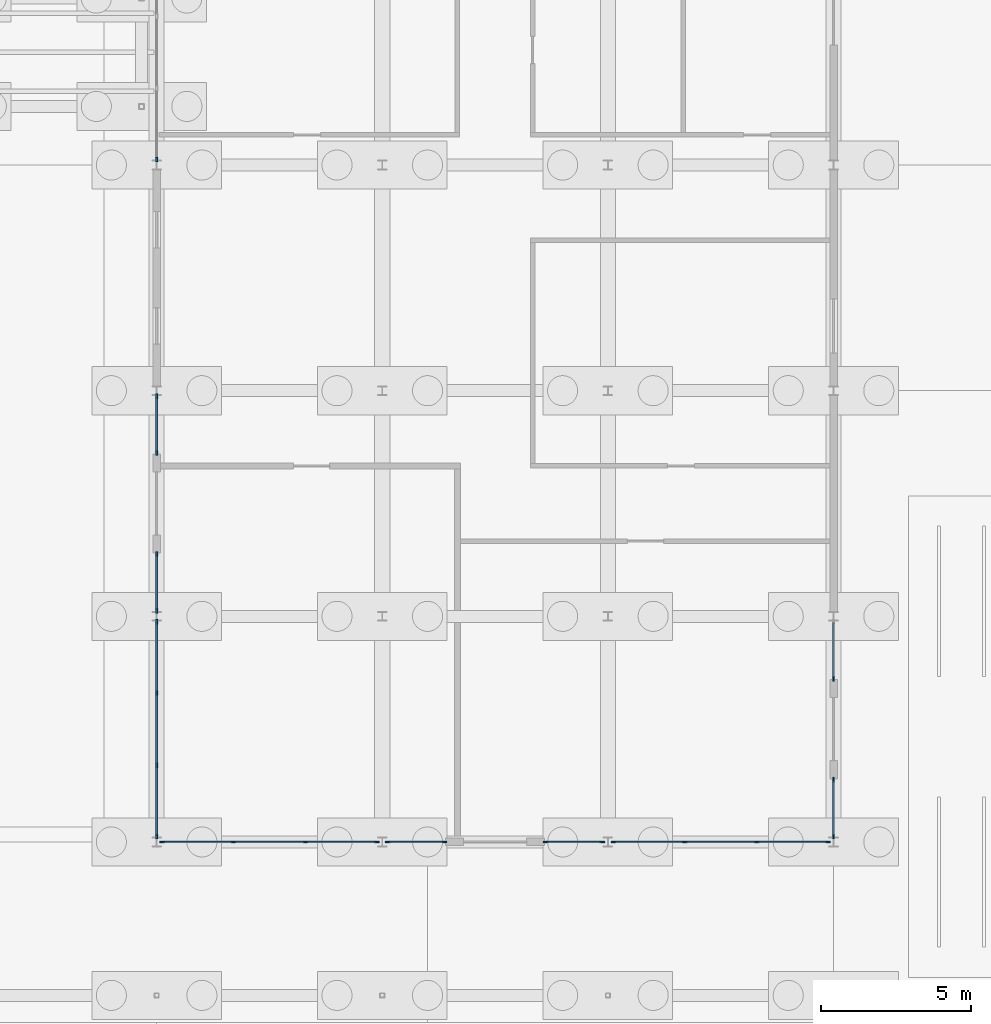
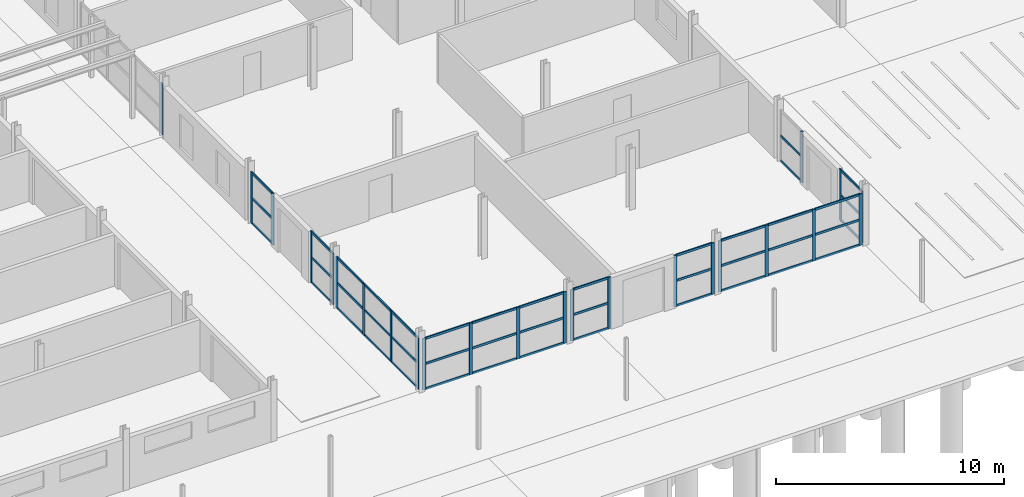
# One storey, part 55 of 130: 68 members, 10 elements without a shape of their own.
"""IFC4 building model written with IfcOpenShell, lengths in metres."""

from ifc_helpers import new_model, si_unit, direction, frame, origin, origin_2d, place, context, subcontext, project, spatial, rectangle, extrude, material, material_profile, profile_set, type_object, element, aggregate, save


model = new_model("IFC4")

# Units and contexts
model_context = context("Model", 3, precision=1e-05, world=origin(), true_north=direction((0.0, 1.0)))
body_context = subcontext(model_context, "Body", "Model", "MODEL_VIEW")
ifc_project = project(units=[si_unit("LENGTHUNIT", "METRE"), si_unit("AREAUNIT", "SQUARE_METRE"), si_unit("VOLUMEUNIT", "CUBIC_METRE"), si_unit("PLANEANGLEUNIT", "RADIAN"), si_unit("MASSUNIT", "GRAM", prefix="KILO")], contexts=[model_context])

# Site, building, storey
site_placement = place(None, origin())
site = spatial("IfcSite", under=ifc_project, at=site_placement, CompositionType="ELEMENT")
building_placement = place(site_placement, origin())
building = spatial("IfcBuilding", under=site, at=building_placement, Name="Parallax Yard Mobility Hub", CompositionType="ELEMENT")
storey_placement = place(building_placement, origin())
storey = spatial("IfcBuildingStorey", under=building, at=storey_placement, Name="L00", CompositionType="ELEMENT", Elevation=0.0)

# Curtain wall, members
ifc_material_1 = material(Name="Thermally broken aluminium curtain wall system", Category="aluminium")
curtain_wall_type = type_object("IfcCurtainWallType", Name="Curtain wall run 60 x 160 frame", PredefinedType="NOTDEFINED", material=ifc_material_1)
curtain_wall_1_placement = place(storey_placement, origin())
curtain_wall_1 = element("IfcCurtainWall", 1, at=curtain_wall_1_placement, inside=storey, type_object=curtain_wall_type, Name="Curtain wall run Bicycle and shared-mobility hall south bay 1 level L00", PredefinedType="NOTDEFINED")
ifc_material_2 = material(Name="Extruded aluminium", Category="aluminium")
ifc_material_profile_1 = material_profile(ifc_material_2, rectangle(XDim=0.06005859375, YDim=0.159912109375, at=origin_2d()), Name="Mullion 60 x 160")
ifc_profile_set_1 = profile_set([ifc_material_profile_1], Name="Extruded aluminium")
member_type_1 = type_object("IfcMemberType", Name="Mullion 60 x 160", PredefinedType="MULLION", material=ifc_profile_set_1)
member_1_placement = place(storey_placement, frame((150.18359375, 7.5, 0.0), z_axis=(0.0, 0.0, 1.0), x_axis=(0.0, 1.0, 0.0)))
member_1 = element("IfcMember", 2, at=member_1_placement, type_object=member_type_1, Name="CW1 mullion 1", PredefinedType="MULLION", context=body_context, shape_type="SweptSolid", body=[
    extrude(rectangle(XDim=0.06005859375, YDim=0.159912109375, at=origin_2d()), origin(), (0.0, 0.0, 1.0), 2.7509765625),
])
member_2_placement = place(storey_placement, frame((152.55126953125, 7.5, 0.0), z_axis=(0.0, 0.0, 1.0), x_axis=(0.0, 1.0, 0.0)))
member_2 = element("IfcMember", 3, at=member_2_placement, type_object=member_type_1, Name="CW1 mullion 2", PredefinedType="MULLION", context=body_context, shape_type="SweptSolid", body=[
    extrude(rectangle(XDim=0.06005859375, YDim=0.159912109375, at=origin_2d()), origin(), (0.0, 0.0, 1.0), 2.7509765625),
])
member_3_placement = place(storey_placement, frame((154.94873046875, 7.5, 0.0), z_axis=(0.0, 0.0, 1.0), x_axis=(0.0, 1.0, 0.0)))
member_3 = element("IfcMember", 4, at=member_3_placement, type_object=member_type_1, Name="CW1 mullion 3", PredefinedType="MULLION", context=body_context, shape_type="SweptSolid", body=[
    extrude(rectangle(XDim=0.06005859375, YDim=0.159912109375, at=origin_2d()), origin(), (0.0, 0.0, 1.0), 2.7509765625),
])
member_4_placement = place(storey_placement, frame((157.31640625, 7.5, 0.0), z_axis=(0.0, 0.0, 1.0), x_axis=(0.0, 1.0, 0.0)))
member_4 = element("IfcMember", 5, at=member_4_placement, type_object=member_type_1, Name="CW1 mullion 4", PredefinedType="MULLION", context=body_context, shape_type="SweptSolid", body=[
    extrude(rectangle(XDim=0.06005859375, YDim=0.159912109375, at=origin_2d()), origin(), (0.0, 0.0, 1.0), 2.7509765625),
])

curtain_wall_2_placement = place(storey_placement, origin())
curtain_wall_2 = element("IfcCurtainWall", 6, at=curtain_wall_2_placement, inside=storey, type_object=curtain_wall_type, Name="Curtain wall run Bicycle and shared-mobility hall south bay 2 level L00", PredefinedType="NOTDEFINED")
member_5_placement = place(storey_placement, frame((157.68359375, 7.5, 0.0), z_axis=(0.0, 0.0, 1.0), x_axis=(0.0, 1.0, 0.0)))
member_5 = element("IfcMember", 7, at=member_5_placement, type_object=member_type_1, Name="CW1 mullion 1", PredefinedType="MULLION", context=body_context, shape_type="SweptSolid", body=[
    extrude(rectangle(XDim=0.06005859375, YDim=0.159912109375, at=origin_2d()), origin(), (0.0, 0.0, 1.0), 2.7509765625),
])
member_6_placement = place(storey_placement, frame((159.570068359375, 7.5, 0.0), z_axis=(0.0, 0.0, 1.0), x_axis=(0.0, 1.0, 0.0)))
member_6 = element("IfcMember", 8, at=member_6_placement, type_object=member_type_1, Name="CW1 mullion 2", PredefinedType="MULLION", context=body_context, shape_type="SweptSolid", body=[
    extrude(rectangle(XDim=0.06005859375, YDim=0.159912109375, at=origin_2d()), origin(), (0.0, 0.0, 1.0), 2.7509765625),
])

curtain_wall_3_placement = place(storey_placement, origin())
curtain_wall_3 = element("IfcCurtainWall", 9, at=curtain_wall_3_placement, inside=storey, type_object=curtain_wall_type, Name="Curtain wall run Bicycle and shared-mobility hall south bay 2 level L00", PredefinedType="NOTDEFINED")
member_7_placement = place(storey_placement, frame((162.929931640625, 7.5, 0.0), z_axis=(0.0, 0.0, 1.0), x_axis=(0.0, 1.0, 0.0)))
member_7 = element("IfcMember", 10, at=member_7_placement, type_object=member_type_1, Name="CW1 mullion 1", PredefinedType="MULLION", context=body_context, shape_type="SweptSolid", body=[
    extrude(rectangle(XDim=0.06005859375, YDim=0.159912109375, at=origin_2d()), origin(), (0.0, 0.0, 1.0), 2.7509765625),
])
member_8_placement = place(storey_placement, frame((164.81640625, 7.5, 0.0), z_axis=(0.0, 0.0, 1.0), x_axis=(0.0, 1.0, 0.0)))
member_8 = element("IfcMember", 11, at=member_8_placement, type_object=member_type_1, Name="CW1 mullion 2", PredefinedType="MULLION", context=body_context, shape_type="SweptSolid", body=[
    extrude(rectangle(XDim=0.06005859375, YDim=0.159912109375, at=origin_2d()), origin(), (0.0, 0.0, 1.0), 2.7509765625),
])

curtain_wall_4_placement = place(storey_placement, origin())
curtain_wall_4 = element("IfcCurtainWall", 12, at=curtain_wall_4_placement, inside=storey, type_object=curtain_wall_type, Name="Curtain wall run Bicycle and shared-mobility hall south bay 3 level L00", PredefinedType="NOTDEFINED")
member_9_placement = place(storey_placement, frame((165.18359375, 7.5, 0.0), z_axis=(0.0, 0.0, 1.0), x_axis=(0.0, 1.0, 0.0)))
member_9 = element("IfcMember", 13, at=member_9_placement, type_object=member_type_1, Name="CW1 mullion 1", PredefinedType="MULLION", context=body_context, shape_type="SweptSolid", body=[
    extrude(rectangle(XDim=0.06005859375, YDim=0.159912109375, at=origin_2d()), origin(), (0.0, 0.0, 1.0), 2.7509765625),
])
member_10_placement = place(storey_placement, frame((167.55126953125, 7.5, 0.0), z_axis=(0.0, 0.0, 1.0), x_axis=(0.0, 1.0, 0.0)))
member_10 = element("IfcMember", 14, at=member_10_placement, type_object=member_type_1, Name="CW1 mullion 2", PredefinedType="MULLION", context=body_context, shape_type="SweptSolid", body=[
    extrude(rectangle(XDim=0.06005859375, YDim=0.159912109375, at=origin_2d()), origin(), (0.0, 0.0, 1.0), 2.7509765625),
])
member_11_placement = place(storey_placement, frame((169.94873046875, 7.5, 0.0), z_axis=(0.0, 0.0, 1.0), x_axis=(0.0, 1.0, 0.0)))
member_11 = element("IfcMember", 15, at=member_11_placement, type_object=member_type_1, Name="CW1 mullion 3", PredefinedType="MULLION", context=body_context, shape_type="SweptSolid", body=[
    extrude(rectangle(XDim=0.06005859375, YDim=0.159912109375, at=origin_2d()), origin(), (0.0, 0.0, 1.0), 2.7509765625),
])
member_12_placement = place(storey_placement, frame((172.31640625, 7.5, 0.0), z_axis=(0.0, 0.0, 1.0), x_axis=(0.0, 1.0, 0.0)))
member_12 = element("IfcMember", 16, at=member_12_placement, type_object=member_type_1, Name="CW1 mullion 4", PredefinedType="MULLION", context=body_context, shape_type="SweptSolid", body=[
    extrude(rectangle(XDim=0.06005859375, YDim=0.159912109375, at=origin_2d()), origin(), (0.0, 0.0, 1.0), 2.7509765625),
])

curtain_wall_5_placement = place(storey_placement, origin())
curtain_wall_5 = element("IfcCurtainWall", 17, at=curtain_wall_5_placement, inside=storey, type_object=curtain_wall_type, Name="Curtain wall run Bicycle and shared-mobility hall east bay 1 level L00", PredefinedType="NOTDEFINED")
member_13_placement = place(storey_placement, frame((172.5, 7.68359375, 0.0), z_axis=(0.0, 0.0, 1.0), x_axis=(-1.0, 0.0, 0.0)))
member_13 = element("IfcMember", 18, at=member_13_placement, type_object=member_type_1, Name="CW1 mullion 1", PredefinedType="MULLION", context=body_context, shape_type="SweptSolid", body=[
    extrude(rectangle(XDim=0.06005859375, YDim=0.159912109375, at=origin_2d()), origin(), (0.0, 0.0, 1.0), 2.7509765625),
])
member_14_placement = place(storey_placement, frame((172.5, 9.570068359375, 0.0), z_axis=(0.0, 0.0, 1.0), x_axis=(-1.0, 0.0, 0.0)))
member_14 = element("IfcMember", 19, at=member_14_placement, type_object=member_type_1, Name="CW1 mullion 2", PredefinedType="MULLION", context=body_context, shape_type="SweptSolid", body=[
    extrude(rectangle(XDim=0.06005859375, YDim=0.159912109375, at=origin_2d()), origin(), (0.0, 0.0, 1.0), 2.7509765625),
])

# Curtain wall, member
curtain_wall_6_placement = place(storey_placement, origin())
curtain_wall_6 = element("IfcCurtainWall", 20, at=curtain_wall_6_placement, inside=storey, type_object=curtain_wall_type, Name="Curtain wall run Bicycle and shared-mobility hall east bay 1 level L00", PredefinedType="NOTDEFINED")
member_15_placement = place(storey_placement, frame((172.5, 12.929931640625, 0.0), z_axis=(0.0, 0.0, 1.0), x_axis=(-1.0, 0.0, 0.0)))
member_15 = element("IfcMember", 21, at=member_15_placement, type_object=member_type_1, Name="CW1 mullion 1", PredefinedType="MULLION", context=body_context, shape_type="SweptSolid", body=[
    extrude(rectangle(XDim=0.06005859375, YDim=0.159912109375, at=origin_2d()), origin(), (0.0, 0.0, 1.0), 2.7509765625),
])

# Curtain wall, members
curtain_wall_7_placement = place(storey_placement, origin())
curtain_wall_7 = element("IfcCurtainWall", 22, at=curtain_wall_7_placement, inside=storey, type_object=curtain_wall_type, Name="Curtain wall run Bicycle and shared-mobility hall west bay 1 level L00", PredefinedType="NOTDEFINED")
member_16_placement = place(storey_placement, frame((150.0, 7.68359375, 0.0), z_axis=(0.0, 0.0, 1.0), x_axis=(-1.0, 0.0, 0.0)))
member_16 = element("IfcMember", 23, at=member_16_placement, type_object=member_type_1, Name="CW1 mullion 1", PredefinedType="MULLION", context=body_context, shape_type="SweptSolid", body=[
    extrude(rectangle(XDim=0.06005859375, YDim=0.159912109375, at=origin_2d()), origin(), (0.0, 0.0, 1.0), 2.7509765625),
])
member_17_placement = place(storey_placement, frame((150.0, 10.05126953125, 0.0), z_axis=(0.0, 0.0, 1.0), x_axis=(-1.0, 0.0, 0.0)))
member_17 = element("IfcMember", 24, at=member_17_placement, type_object=member_type_1, Name="CW1 mullion 2", PredefinedType="MULLION", context=body_context, shape_type="SweptSolid", body=[
    extrude(rectangle(XDim=0.06005859375, YDim=0.159912109375, at=origin_2d()), origin(), (0.0, 0.0, 1.0), 2.7509765625),
])
member_18_placement = place(storey_placement, frame((150.0, 12.44873046875, 0.0), z_axis=(0.0, 0.0, 1.0), x_axis=(-1.0, 0.0, 0.0)))
member_18 = element("IfcMember", 25, at=member_18_placement, type_object=member_type_1, Name="CW1 mullion 3", PredefinedType="MULLION", context=body_context, shape_type="SweptSolid", body=[
    extrude(rectangle(XDim=0.06005859375, YDim=0.159912109375, at=origin_2d()), origin(), (0.0, 0.0, 1.0), 2.7509765625),
])
member_19_placement = place(storey_placement, frame((150.0, 14.81640625, 0.0), z_axis=(0.0, 0.0, 1.0), x_axis=(-1.0, 0.0, 0.0)))
member_19 = element("IfcMember", 26, at=member_19_placement, type_object=member_type_1, Name="CW1 mullion 4", PredefinedType="MULLION", context=body_context, shape_type="SweptSolid", body=[
    extrude(rectangle(XDim=0.06005859375, YDim=0.159912109375, at=origin_2d()), origin(), (0.0, 0.0, 1.0), 2.7509765625),
])

curtain_wall_8_placement = place(storey_placement, origin())
curtain_wall_8 = element("IfcCurtainWall", 27, at=curtain_wall_8_placement, inside=storey, type_object=curtain_wall_type, Name="Curtain wall run Bicycle and shared-mobility hall west bay 2 level L00", PredefinedType="NOTDEFINED")
member_20_placement = place(storey_placement, frame((150.0, 15.18359375, 0.0), z_axis=(0.0, 0.0, 1.0), x_axis=(-1.0, 0.0, 0.0)))
member_20 = element("IfcMember", 28, at=member_20_placement, type_object=member_type_1, Name="CW1 mullion 1", PredefinedType="MULLION", context=body_context, shape_type="SweptSolid", body=[
    extrude(rectangle(XDim=0.06005859375, YDim=0.159912109375, at=origin_2d()), origin(), (0.0, 0.0, 1.0), 2.7509765625),
])
member_21_placement = place(storey_placement, frame((150.0, 17.070068359375, 0.0), z_axis=(0.0, 0.0, 1.0), x_axis=(-1.0, 0.0, 0.0)))
member_21 = element("IfcMember", 29, at=member_21_placement, type_object=member_type_1, Name="CW1 mullion 2", PredefinedType="MULLION", context=body_context, shape_type="SweptSolid", body=[
    extrude(rectangle(XDim=0.06005859375, YDim=0.159912109375, at=origin_2d()), origin(), (0.0, 0.0, 1.0), 2.7509765625),
])

curtain_wall_9_placement = place(storey_placement, origin())
curtain_wall_9 = element("IfcCurtainWall", 30, at=curtain_wall_9_placement, inside=storey, type_object=curtain_wall_type, Name="Curtain wall run Bicycle and shared-mobility hall west bay 2 level L00", PredefinedType="NOTDEFINED")
member_22_placement = place(storey_placement, frame((150.0, 20.429931640625, 0.0), z_axis=(0.0, 0.0, 1.0), x_axis=(-1.0, 0.0, 0.0)))
member_22 = element("IfcMember", 31, at=member_22_placement, type_object=member_type_1, Name="CW1 mullion 1", PredefinedType="MULLION", context=body_context, shape_type="SweptSolid", body=[
    extrude(rectangle(XDim=0.06005859375, YDim=0.159912109375, at=origin_2d()), origin(), (0.0, 0.0, 1.0), 2.7509765625),
])
member_23_placement = place(storey_placement, frame((150.0, 22.31640625, 0.0), z_axis=(0.0, 0.0, 1.0), x_axis=(-1.0, 0.0, 0.0)))
member_23 = element("IfcMember", 32, at=member_23_placement, type_object=member_type_1, Name="CW1 mullion 2", PredefinedType="MULLION", context=body_context, shape_type="SweptSolid", body=[
    extrude(rectangle(XDim=0.06005859375, YDim=0.159912109375, at=origin_2d()), origin(), (0.0, 0.0, 1.0), 2.7509765625),
])

# Curtain wall, member
curtain_wall_10_placement = place(storey_placement, origin())
curtain_wall_10 = element("IfcCurtainWall", 33, at=curtain_wall_10_placement, inside=storey, type_object=curtain_wall_type, Name="Curtain wall run Bicycle and shared-mobility hall west bay 4 level L00", PredefinedType="NOTDEFINED")
member_24_placement = place(storey_placement, frame((150.0, 30.18359375, 0.0), z_axis=(0.0, 0.0, 1.0), x_axis=(-1.0, 0.0, 0.0)))
member_24 = element("IfcMember", 34, at=member_24_placement, type_object=member_type_1, Name="CW1 mullion 1", PredefinedType="MULLION", context=body_context, shape_type="SweptSolid", body=[
    extrude(rectangle(XDim=0.06005859375, YDim=0.159912109375, at=origin_2d()), origin(), (0.0, 0.0, 1.0), 2.7509765625),
])
aggregate(curtain_wall_10, [member_24])

# Member
ifc_material_profile_2 = material_profile(ifc_material_2, rectangle(XDim=0.06005859375, YDim=0.1201171875, at=origin_2d()), Name="Transom 60 x 120")
ifc_profile_set_2 = profile_set([ifc_material_profile_2], Name="Extruded aluminium")
member_type_2 = type_object("IfcMemberType", Name="Transom 60 x 120", PredefinedType="USERDEFINED", material=ifc_profile_set_2)
member_25_placement = place(storey_placement, frame((150.21337890625, 7.5, 0.030029296875), z_axis=(1.0, 0.0, 0.0), x_axis=(0.0, 1.0, 0.0)))
member_25 = element("IfcMember", 35, at=member_25_placement, type_object=member_type_2, Name="CW1 transom 1.1", ObjectType="TRANSOM", PredefinedType="USERDEFINED", context=body_context, shape_type="SweptSolid", body=[
    extrude(rectangle(XDim=0.06005859375, YDim=0.1201171875, at=origin_2d()), origin(), (0.0, 0.0, 1.0), 2.307861328125),
])

member_26_placement = place(storey_placement, frame((150.21337890625, 7.5, 1.37548828125), z_axis=(1.0, 0.0, 0.0), x_axis=(0.0, 1.0, 0.0)))
member_26 = element("IfcMember", 36, at=member_26_placement, type_object=member_type_2, Name="CW1 transom 1.2", ObjectType="TRANSOM", PredefinedType="USERDEFINED", context=body_context, shape_type="SweptSolid", body=[
    extrude(rectangle(XDim=0.06005859375, YDim=0.1201171875, at=origin_2d()), origin(), (0.0, 0.0, 1.0), 2.307861328125),
])

member_27_placement = place(storey_placement, frame((150.21337890625, 7.5, 2.720947265625), z_axis=(1.0, 0.0, 0.0), x_axis=(0.0, 1.0, 0.0)))
member_27 = element("IfcMember", 37, at=member_27_placement, type_object=member_type_2, Name="CW1 transom 1.3", ObjectType="TRANSOM", PredefinedType="USERDEFINED", context=body_context, shape_type="SweptSolid", body=[
    extrude(rectangle(XDim=0.06005859375, YDim=0.1201171875, at=origin_2d()), origin(), (0.0, 0.0, 1.0), 2.307861328125),
])

member_28_placement = place(storey_placement, frame((152.5810546875, 7.5, 0.030029296875), z_axis=(1.0, 0.0, 0.0), x_axis=(0.0, 1.0, 0.0)))
member_28 = element("IfcMember", 38, at=member_28_placement, type_object=member_type_2, Name="CW1 transom 2.1", ObjectType="TRANSOM", PredefinedType="USERDEFINED", context=body_context, shape_type="SweptSolid", body=[
    extrude(rectangle(XDim=0.06005859375, YDim=0.1201171875, at=origin_2d()), origin(), (0.0, 0.0, 1.0), 2.337890625),
])

member_29_placement = place(storey_placement, frame((152.5810546875, 7.5, 1.37548828125), z_axis=(1.0, 0.0, 0.0), x_axis=(0.0, 1.0, 0.0)))
member_29 = element("IfcMember", 39, at=member_29_placement, type_object=member_type_2, Name="CW1 transom 2.2", ObjectType="TRANSOM", PredefinedType="USERDEFINED", context=body_context, shape_type="SweptSolid", body=[
    extrude(rectangle(XDim=0.06005859375, YDim=0.1201171875, at=origin_2d()), origin(), (0.0, 0.0, 1.0), 2.337890625),
])

member_30_placement = place(storey_placement, frame((152.5810546875, 7.5, 2.720947265625), z_axis=(1.0, 0.0, 0.0), x_axis=(0.0, 1.0, 0.0)))
member_30 = element("IfcMember", 40, at=member_30_placement, type_object=member_type_2, Name="CW1 transom 2.3", ObjectType="TRANSOM", PredefinedType="USERDEFINED", context=body_context, shape_type="SweptSolid", body=[
    extrude(rectangle(XDim=0.06005859375, YDim=0.1201171875, at=origin_2d()), origin(), (0.0, 0.0, 1.0), 2.337890625),
])

member_31_placement = place(storey_placement, frame((154.978759765625, 7.5, 0.030029296875), z_axis=(1.0, 0.0, 0.0), x_axis=(0.0, 1.0, 0.0)))
member_31 = element("IfcMember", 41, at=member_31_placement, type_object=member_type_2, Name="CW1 transom 3.1", ObjectType="TRANSOM", PredefinedType="USERDEFINED", context=body_context, shape_type="SweptSolid", body=[
    extrude(rectangle(XDim=0.06005859375, YDim=0.1201171875, at=origin_2d()), origin(), (0.0, 0.0, 1.0), 2.307861328125),
])

member_32_placement = place(storey_placement, frame((154.978759765625, 7.5, 1.37548828125), z_axis=(1.0, 0.0, 0.0), x_axis=(0.0, 1.0, 0.0)))
member_32 = element("IfcMember", 42, at=member_32_placement, type_object=member_type_2, Name="CW1 transom 3.2", ObjectType="TRANSOM", PredefinedType="USERDEFINED", context=body_context, shape_type="SweptSolid", body=[
    extrude(rectangle(XDim=0.06005859375, YDim=0.1201171875, at=origin_2d()), origin(), (0.0, 0.0, 1.0), 2.307861328125),
])

member_33_placement = place(storey_placement, frame((154.978759765625, 7.5, 2.720947265625), z_axis=(1.0, 0.0, 0.0), x_axis=(0.0, 1.0, 0.0)))
member_33 = element("IfcMember", 43, at=member_33_placement, type_object=member_type_2, Name="CW1 transom 3.3", ObjectType="TRANSOM", PredefinedType="USERDEFINED", context=body_context, shape_type="SweptSolid", body=[
    extrude(rectangle(XDim=0.06005859375, YDim=0.1201171875, at=origin_2d()), origin(), (0.0, 0.0, 1.0), 2.307861328125),
])

aggregate(curtain_wall_1, [member_1, member_2, member_3, member_4, member_25, member_26, member_27, member_28, member_29, member_30, member_31, member_32, member_33])

member_34_placement = place(storey_placement, frame((157.71337890625, 7.5, 0.030029296875), z_axis=(1.0, 0.0, 0.0), x_axis=(0.0, 1.0, 0.0)))
member_34 = element("IfcMember", 44, at=member_34_placement, type_object=member_type_2, Name="CW1 transom 1.1", ObjectType="TRANSOM", PredefinedType="USERDEFINED", context=body_context, shape_type="SweptSolid", body=[
    extrude(rectangle(XDim=0.06005859375, YDim=0.1201171875, at=origin_2d()), origin(), (0.0, 0.0, 1.0), 1.82666015625),
])

member_35_placement = place(storey_placement, frame((157.71337890625, 7.5, 1.37548828125), z_axis=(1.0, 0.0, 0.0), x_axis=(0.0, 1.0, 0.0)))
member_35 = element("IfcMember", 45, at=member_35_placement, type_object=member_type_2, Name="CW1 transom 1.2", ObjectType="TRANSOM", PredefinedType="USERDEFINED", context=body_context, shape_type="SweptSolid", body=[
    extrude(rectangle(XDim=0.06005859375, YDim=0.1201171875, at=origin_2d()), origin(), (0.0, 0.0, 1.0), 1.82666015625),
])

member_36_placement = place(storey_placement, frame((157.71337890625, 7.5, 2.720947265625), z_axis=(1.0, 0.0, 0.0), x_axis=(0.0, 1.0, 0.0)))
member_36 = element("IfcMember", 46, at=member_36_placement, type_object=member_type_2, Name="CW1 transom 1.3", ObjectType="TRANSOM", PredefinedType="USERDEFINED", context=body_context, shape_type="SweptSolid", body=[
    extrude(rectangle(XDim=0.06005859375, YDim=0.1201171875, at=origin_2d()), origin(), (0.0, 0.0, 1.0), 1.82666015625),
])

aggregate(curtain_wall_2, [member_5, member_6, member_34, member_35, member_36])

member_37_placement = place(storey_placement, frame((162.9599609375, 7.5, 0.030029296875), z_axis=(1.0, 0.0, 0.0), x_axis=(0.0, 1.0, 0.0)))
member_37 = element("IfcMember", 47, at=member_37_placement, type_object=member_type_2, Name="CW1 transom 1.1", ObjectType="TRANSOM", PredefinedType="USERDEFINED", context=body_context, shape_type="SweptSolid", body=[
    extrude(rectangle(XDim=0.06005859375, YDim=0.1201171875, at=origin_2d()), origin(), (0.0, 0.0, 1.0), 1.82666015625),
])

member_38_placement = place(storey_placement, frame((162.9599609375, 7.5, 1.37548828125), z_axis=(1.0, 0.0, 0.0), x_axis=(0.0, 1.0, 0.0)))
member_38 = element("IfcMember", 48, at=member_38_placement, type_object=member_type_2, Name="CW1 transom 1.2", ObjectType="TRANSOM", PredefinedType="USERDEFINED", context=body_context, shape_type="SweptSolid", body=[
    extrude(rectangle(XDim=0.06005859375, YDim=0.1201171875, at=origin_2d()), origin(), (0.0, 0.0, 1.0), 1.82666015625),
])

member_39_placement = place(storey_placement, frame((162.9599609375, 7.5, 2.720947265625), z_axis=(1.0, 0.0, 0.0), x_axis=(0.0, 1.0, 0.0)))
member_39 = element("IfcMember", 49, at=member_39_placement, type_object=member_type_2, Name="CW1 transom 1.3", ObjectType="TRANSOM", PredefinedType="USERDEFINED", context=body_context, shape_type="SweptSolid", body=[
    extrude(rectangle(XDim=0.06005859375, YDim=0.1201171875, at=origin_2d()), origin(), (0.0, 0.0, 1.0), 1.82666015625),
])

aggregate(curtain_wall_3, [member_7, member_8, member_37, member_38, member_39])

member_40_placement = place(storey_placement, frame((165.21337890625, 7.5, 0.030029296875), z_axis=(1.0, 0.0, 0.0), x_axis=(0.0, 1.0, 0.0)))
member_40 = element("IfcMember", 50, at=member_40_placement, type_object=member_type_2, Name="CW1 transom 1.1", ObjectType="TRANSOM", PredefinedType="USERDEFINED", context=body_context, shape_type="SweptSolid", body=[
    extrude(rectangle(XDim=0.06005859375, YDim=0.1201171875, at=origin_2d()), origin(), (0.0, 0.0, 1.0), 2.307861328125),
])

member_41_placement = place(storey_placement, frame((165.21337890625, 7.5, 1.37548828125), z_axis=(1.0, 0.0, 0.0), x_axis=(0.0, 1.0, 0.0)))
member_41 = element("IfcMember", 51, at=member_41_placement, type_object=member_type_2, Name="CW1 transom 1.2", ObjectType="TRANSOM", PredefinedType="USERDEFINED", context=body_context, shape_type="SweptSolid", body=[
    extrude(rectangle(XDim=0.06005859375, YDim=0.1201171875, at=origin_2d()), origin(), (0.0, 0.0, 1.0), 2.307861328125),
])

member_42_placement = place(storey_placement, frame((165.21337890625, 7.5, 2.720947265625), z_axis=(1.0, 0.0, 0.0), x_axis=(0.0, 1.0, 0.0)))
member_42 = element("IfcMember", 52, at=member_42_placement, type_object=member_type_2, Name="CW1 transom 1.3", ObjectType="TRANSOM", PredefinedType="USERDEFINED", context=body_context, shape_type="SweptSolid", body=[
    extrude(rectangle(XDim=0.06005859375, YDim=0.1201171875, at=origin_2d()), origin(), (0.0, 0.0, 1.0), 2.307861328125),
])

member_43_placement = place(storey_placement, frame((167.5810546875, 7.5, 0.030029296875), z_axis=(1.0, 0.0, 0.0), x_axis=(0.0, 1.0, 0.0)))
member_43 = element("IfcMember", 53, at=member_43_placement, type_object=member_type_2, Name="CW1 transom 2.1", ObjectType="TRANSOM", PredefinedType="USERDEFINED", context=body_context, shape_type="SweptSolid", body=[
    extrude(rectangle(XDim=0.06005859375, YDim=0.1201171875, at=origin_2d()), origin(), (0.0, 0.0, 1.0), 2.337890625),
])

member_44_placement = place(storey_placement, frame((167.5810546875, 7.5, 1.37548828125), z_axis=(1.0, 0.0, 0.0), x_axis=(0.0, 1.0, 0.0)))
member_44 = element("IfcMember", 54, at=member_44_placement, type_object=member_type_2, Name="CW1 transom 2.2", ObjectType="TRANSOM", PredefinedType="USERDEFINED", context=body_context, shape_type="SweptSolid", body=[
    extrude(rectangle(XDim=0.06005859375, YDim=0.1201171875, at=origin_2d()), origin(), (0.0, 0.0, 1.0), 2.337890625),
])

member_45_placement = place(storey_placement, frame((167.5810546875, 7.5, 2.720947265625), z_axis=(1.0, 0.0, 0.0), x_axis=(0.0, 1.0, 0.0)))
member_45 = element("IfcMember", 55, at=member_45_placement, type_object=member_type_2, Name="CW1 transom 2.3", ObjectType="TRANSOM", PredefinedType="USERDEFINED", context=body_context, shape_type="SweptSolid", body=[
    extrude(rectangle(XDim=0.06005859375, YDim=0.1201171875, at=origin_2d()), origin(), (0.0, 0.0, 1.0), 2.337890625),
])

member_46_placement = place(storey_placement, frame((169.978759765625, 7.5, 0.030029296875), z_axis=(1.0, 0.0, 0.0), x_axis=(0.0, 1.0, 0.0)))
member_46 = element("IfcMember", 56, at=member_46_placement, type_object=member_type_2, Name="CW1 transom 3.1", ObjectType="TRANSOM", PredefinedType="USERDEFINED", context=body_context, shape_type="SweptSolid", body=[
    extrude(rectangle(XDim=0.06005859375, YDim=0.1201171875, at=origin_2d()), origin(), (0.0, 0.0, 1.0), 2.307861328125),
])

member_47_placement = place(storey_placement, frame((169.978759765625, 7.5, 1.37548828125), z_axis=(1.0, 0.0, 0.0), x_axis=(0.0, 1.0, 0.0)))
member_47 = element("IfcMember", 57, at=member_47_placement, type_object=member_type_2, Name="CW1 transom 3.2", ObjectType="TRANSOM", PredefinedType="USERDEFINED", context=body_context, shape_type="SweptSolid", body=[
    extrude(rectangle(XDim=0.06005859375, YDim=0.1201171875, at=origin_2d()), origin(), (0.0, 0.0, 1.0), 2.307861328125),
])

member_48_placement = place(storey_placement, frame((169.978759765625, 7.5, 2.720947265625), z_axis=(1.0, 0.0, 0.0), x_axis=(0.0, 1.0, 0.0)))
member_48 = element("IfcMember", 58, at=member_48_placement, type_object=member_type_2, Name="CW1 transom 3.3", ObjectType="TRANSOM", PredefinedType="USERDEFINED", context=body_context, shape_type="SweptSolid", body=[
    extrude(rectangle(XDim=0.06005859375, YDim=0.1201171875, at=origin_2d()), origin(), (0.0, 0.0, 1.0), 2.307861328125),
])

aggregate(curtain_wall_4, [member_9, member_10, member_11, member_12, member_40, member_41, member_42, member_43, member_44, member_45, member_46, member_47, member_48])

member_49_placement = place(storey_placement, frame((172.5, 7.71337890625, 0.030029296875), z_axis=(0.0, 1.0, 0.0), x_axis=(-1.0, 0.0, 0.0)))
member_49 = element("IfcMember", 59, at=member_49_placement, type_object=member_type_2, Name="CW1 transom 1.1", ObjectType="TRANSOM", PredefinedType="USERDEFINED", context=body_context, shape_type="SweptSolid", body=[
    extrude(rectangle(XDim=0.06005859375, YDim=0.1201171875, at=origin_2d()), origin(), (0.0, 0.0, 1.0), 1.82666015625),
])

member_50_placement = place(storey_placement, frame((172.5, 7.71337890625, 1.37548828125), z_axis=(0.0, 1.0, 0.0), x_axis=(-1.0, 0.0, 0.0)))
member_50 = element("IfcMember", 60, at=member_50_placement, type_object=member_type_2, Name="CW1 transom 1.2", ObjectType="TRANSOM", PredefinedType="USERDEFINED", context=body_context, shape_type="SweptSolid", body=[
    extrude(rectangle(XDim=0.06005859375, YDim=0.1201171875, at=origin_2d()), origin(), (0.0, 0.0, 1.0), 1.82666015625),
])

member_51_placement = place(storey_placement, frame((172.5, 7.71337890625, 2.720947265625), z_axis=(0.0, 1.0, 0.0), x_axis=(-1.0, 0.0, 0.0)))
member_51 = element("IfcMember", 61, at=member_51_placement, type_object=member_type_2, Name="CW1 transom 1.3", ObjectType="TRANSOM", PredefinedType="USERDEFINED", context=body_context, shape_type="SweptSolid", body=[
    extrude(rectangle(XDim=0.06005859375, YDim=0.1201171875, at=origin_2d()), origin(), (0.0, 0.0, 1.0), 1.82666015625),
])

aggregate(curtain_wall_5, [member_13, member_14, member_49, member_50, member_51])

member_52_placement = place(storey_placement, frame((172.5, 12.9599609375, 0.030029296875), z_axis=(0.0, 1.0, 0.0), x_axis=(-1.0, 0.0, 0.0)))
member_52 = element("IfcMember", 62, at=member_52_placement, type_object=member_type_2, Name="CW1 transom 1.1", ObjectType="TRANSOM", PredefinedType="USERDEFINED", context=body_context, shape_type="SweptSolid", body=[
    extrude(rectangle(XDim=0.06005859375, YDim=0.1201171875, at=origin_2d()), origin(), (0.0, 0.0, 1.0), 1.82666015625),
])

member_53_placement = place(storey_placement, frame((172.5, 12.9599609375, 1.37548828125), z_axis=(0.0, 1.0, 0.0), x_axis=(-1.0, 0.0, 0.0)))
member_53 = element("IfcMember", 63, at=member_53_placement, type_object=member_type_2, Name="CW1 transom 1.2", ObjectType="TRANSOM", PredefinedType="USERDEFINED", context=body_context, shape_type="SweptSolid", body=[
    extrude(rectangle(XDim=0.06005859375, YDim=0.1201171875, at=origin_2d()), origin(), (0.0, 0.0, 1.0), 1.82666015625),
])

aggregate(curtain_wall_6, [member_15, member_52, member_53])

member_54_placement = place(storey_placement, frame((150.0, 7.71337890625, 0.030029296875), z_axis=(0.0, 1.0, 0.0), x_axis=(-1.0, 0.0, 0.0)))
member_54 = element("IfcMember", 64, at=member_54_placement, type_object=member_type_2, Name="CW1 transom 1.1", ObjectType="TRANSOM", PredefinedType="USERDEFINED", context=body_context, shape_type="SweptSolid", body=[
    extrude(rectangle(XDim=0.06005859375, YDim=0.1201171875, at=origin_2d()), origin(), (0.0, 0.0, 1.0), 2.307861328125),
])

member_55_placement = place(storey_placement, frame((150.0, 7.71337890625, 1.37548828125), z_axis=(0.0, 1.0, 0.0), x_axis=(-1.0, 0.0, 0.0)))
member_55 = element("IfcMember", 65, at=member_55_placement, type_object=member_type_2, Name="CW1 transom 1.2", ObjectType="TRANSOM", PredefinedType="USERDEFINED", context=body_context, shape_type="SweptSolid", body=[
    extrude(rectangle(XDim=0.06005859375, YDim=0.1201171875, at=origin_2d()), origin(), (0.0, 0.0, 1.0), 2.307861328125),
])

member_56_placement = place(storey_placement, frame((150.0, 7.71337890625, 2.720947265625), z_axis=(0.0, 1.0, 0.0), x_axis=(-1.0, 0.0, 0.0)))
member_56 = element("IfcMember", 66, at=member_56_placement, type_object=member_type_2, Name="CW1 transom 1.3", ObjectType="TRANSOM", PredefinedType="USERDEFINED", context=body_context, shape_type="SweptSolid", body=[
    extrude(rectangle(XDim=0.06005859375, YDim=0.1201171875, at=origin_2d()), origin(), (0.0, 0.0, 1.0), 2.307861328125),
])

member_57_placement = place(storey_placement, frame((150.0, 10.0810546875, 0.030029296875), z_axis=(0.0, 1.0, 0.0), x_axis=(-1.0, 0.0, 0.0)))
member_57 = element("IfcMember", 67, at=member_57_placement, type_object=member_type_2, Name="CW1 transom 2.1", ObjectType="TRANSOM", PredefinedType="USERDEFINED", context=body_context, shape_type="SweptSolid", body=[
    extrude(rectangle(XDim=0.06005859375, YDim=0.1201171875, at=origin_2d()), origin(), (0.0, 0.0, 1.0), 2.337890625),
])

member_58_placement = place(storey_placement, frame((150.0, 10.0810546875, 1.37548828125), z_axis=(0.0, 1.0, 0.0), x_axis=(-1.0, 0.0, 0.0)))
member_58 = element("IfcMember", 68, at=member_58_placement, type_object=member_type_2, Name="CW1 transom 2.2", ObjectType="TRANSOM", PredefinedType="USERDEFINED", context=body_context, shape_type="SweptSolid", body=[
    extrude(rectangle(XDim=0.06005859375, YDim=0.1201171875, at=origin_2d()), origin(), (0.0, 0.0, 1.0), 2.337890625),
])

member_59_placement = place(storey_placement, frame((150.0, 10.0810546875, 2.720947265625), z_axis=(0.0, 1.0, 0.0), x_axis=(-1.0, 0.0, 0.0)))
member_59 = element("IfcMember", 69, at=member_59_placement, type_object=member_type_2, Name="CW1 transom 2.3", ObjectType="TRANSOM", PredefinedType="USERDEFINED", context=body_context, shape_type="SweptSolid", body=[
    extrude(rectangle(XDim=0.06005859375, YDim=0.1201171875, at=origin_2d()), origin(), (0.0, 0.0, 1.0), 2.337890625),
])

member_60_placement = place(storey_placement, frame((150.0, 12.478759765625, 0.030029296875), z_axis=(0.0, 1.0, 0.0), x_axis=(-1.0, 0.0, 0.0)))
member_60 = element("IfcMember", 70, at=member_60_placement, type_object=member_type_2, Name="CW1 transom 3.1", ObjectType="TRANSOM", PredefinedType="USERDEFINED", context=body_context, shape_type="SweptSolid", body=[
    extrude(rectangle(XDim=0.06005859375, YDim=0.1201171875, at=origin_2d()), origin(), (0.0, 0.0, 1.0), 2.307861328125),
])

member_61_placement = place(storey_placement, frame((150.0, 12.478759765625, 1.37548828125), z_axis=(0.0, 1.0, 0.0), x_axis=(-1.0, 0.0, 0.0)))
member_61 = element("IfcMember", 71, at=member_61_placement, type_object=member_type_2, Name="CW1 transom 3.2", ObjectType="TRANSOM", PredefinedType="USERDEFINED", context=body_context, shape_type="SweptSolid", body=[
    extrude(rectangle(XDim=0.06005859375, YDim=0.1201171875, at=origin_2d()), origin(), (0.0, 0.0, 1.0), 2.307861328125),
])

member_62_placement = place(storey_placement, frame((150.0, 12.478759765625, 2.720947265625), z_axis=(0.0, 1.0, 0.0), x_axis=(-1.0, 0.0, 0.0)))
member_62 = element("IfcMember", 72, at=member_62_placement, type_object=member_type_2, Name="CW1 transom 3.3", ObjectType="TRANSOM", PredefinedType="USERDEFINED", context=body_context, shape_type="SweptSolid", body=[
    extrude(rectangle(XDim=0.06005859375, YDim=0.1201171875, at=origin_2d()), origin(), (0.0, 0.0, 1.0), 2.307861328125),
])

aggregate(curtain_wall_7, [member_16, member_17, member_18, member_19, member_54, member_55, member_56, member_57, member_58, member_59, member_60, member_61, member_62])

member_63_placement = place(storey_placement, frame((150.0, 15.21337890625, 0.030029296875), z_axis=(0.0, 1.0, 0.0), x_axis=(-1.0, 0.0, 0.0)))
member_63 = element("IfcMember", 73, at=member_63_placement, type_object=member_type_2, Name="CW1 transom 1.1", ObjectType="TRANSOM", PredefinedType="USERDEFINED", context=body_context, shape_type="SweptSolid", body=[
    extrude(rectangle(XDim=0.06005859375, YDim=0.1201171875, at=origin_2d()), origin(), (0.0, 0.0, 1.0), 1.82666015625),
])

member_64_placement = place(storey_placement, frame((150.0, 15.21337890625, 1.37548828125), z_axis=(0.0, 1.0, 0.0), x_axis=(-1.0, 0.0, 0.0)))
member_64 = element("IfcMember", 74, at=member_64_placement, type_object=member_type_2, Name="CW1 transom 1.2", ObjectType="TRANSOM", PredefinedType="USERDEFINED", context=body_context, shape_type="SweptSolid", body=[
    extrude(rectangle(XDim=0.06005859375, YDim=0.1201171875, at=origin_2d()), origin(), (0.0, 0.0, 1.0), 1.82666015625),
])

member_65_placement = place(storey_placement, frame((150.0, 15.21337890625, 2.720947265625), z_axis=(0.0, 1.0, 0.0), x_axis=(-1.0, 0.0, 0.0)))
member_65 = element("IfcMember", 75, at=member_65_placement, type_object=member_type_2, Name="CW1 transom 1.3", ObjectType="TRANSOM", PredefinedType="USERDEFINED", context=body_context, shape_type="SweptSolid", body=[
    extrude(rectangle(XDim=0.06005859375, YDim=0.1201171875, at=origin_2d()), origin(), (0.0, 0.0, 1.0), 1.82666015625),
])

aggregate(curtain_wall_8, [member_20, member_21, member_63, member_64, member_65])

member_66_placement = place(storey_placement, frame((150.0, 20.4599609375, 0.030029296875), z_axis=(0.0, 1.0, 0.0), x_axis=(-1.0, 0.0, 0.0)))
member_66 = element("IfcMember", 76, at=member_66_placement, type_object=member_type_2, Name="CW1 transom 1.1", ObjectType="TRANSOM", PredefinedType="USERDEFINED", context=body_context, shape_type="SweptSolid", body=[
    extrude(rectangle(XDim=0.06005859375, YDim=0.1201171875, at=origin_2d()), origin(), (0.0, 0.0, 1.0), 1.82666015625),
])

member_67_placement = place(storey_placement, frame((150.0, 20.4599609375, 1.37548828125), z_axis=(0.0, 1.0, 0.0), x_axis=(-1.0, 0.0, 0.0)))
member_67 = element("IfcMember", 77, at=member_67_placement, type_object=member_type_2, Name="CW1 transom 1.2", ObjectType="TRANSOM", PredefinedType="USERDEFINED", context=body_context, shape_type="SweptSolid", body=[
    extrude(rectangle(XDim=0.06005859375, YDim=0.1201171875, at=origin_2d()), origin(), (0.0, 0.0, 1.0), 1.82666015625),
])

member_68_placement = place(storey_placement, frame((150.0, 20.4599609375, 2.720947265625), z_axis=(0.0, 1.0, 0.0), x_axis=(-1.0, 0.0, 0.0)))
member_68 = element("IfcMember", 78, at=member_68_placement, type_object=member_type_2, Name="CW1 transom 1.3", ObjectType="TRANSOM", PredefinedType="USERDEFINED", context=body_context, shape_type="SweptSolid", body=[
    extrude(rectangle(XDim=0.06005859375, YDim=0.1201171875, at=origin_2d()), origin(), (0.0, 0.0, 1.0), 1.82666015625),
])

aggregate(curtain_wall_9, [member_22, member_23, member_66, member_67, member_68])

save(model, "model.ifc")
